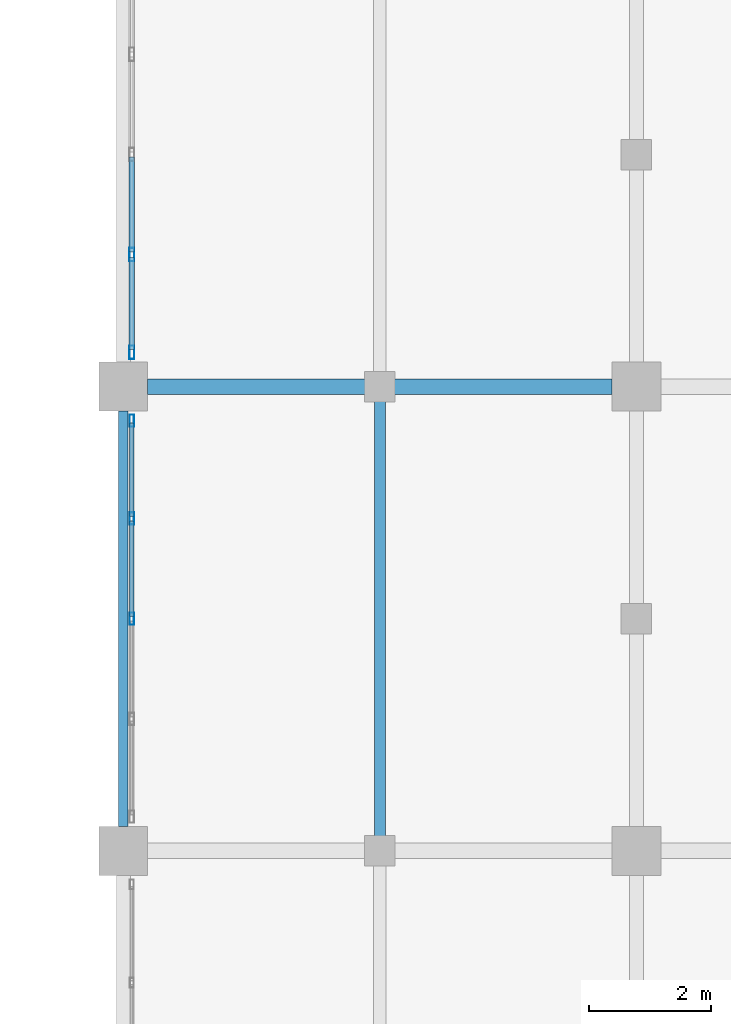
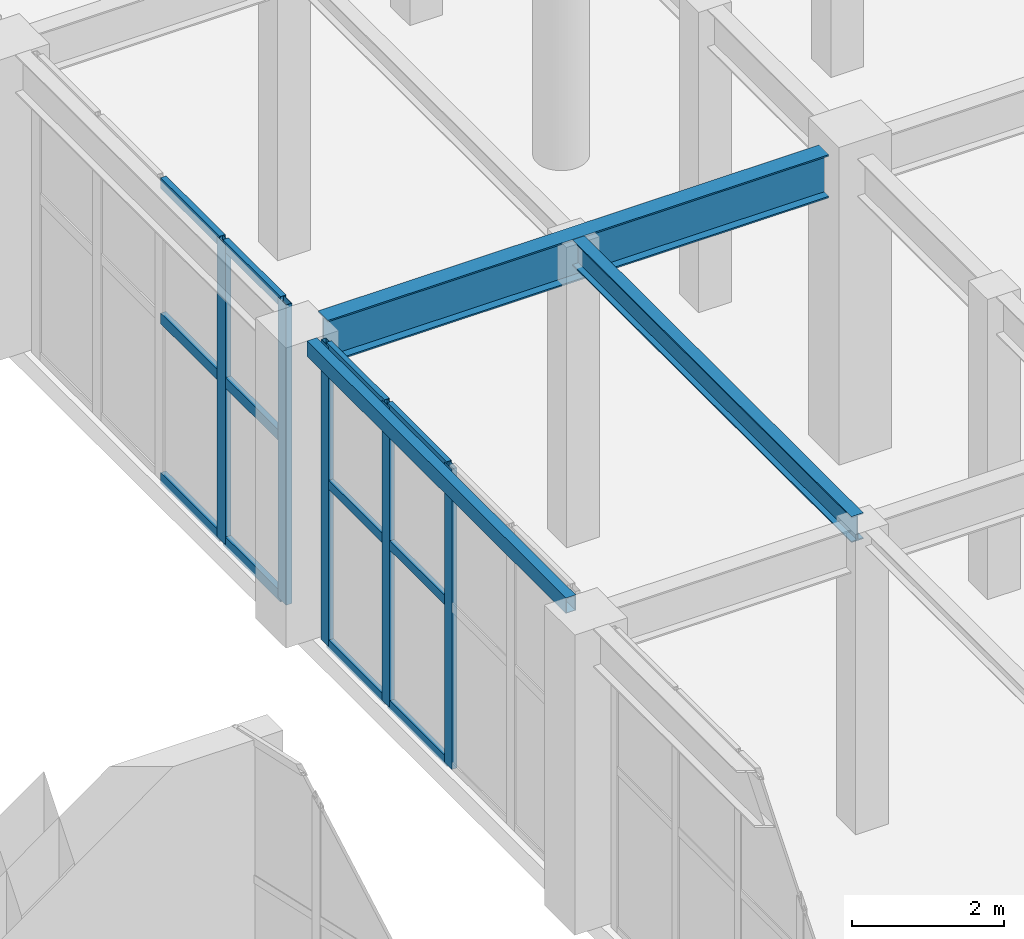
# One storey, part 28 of 128: 17 members, 3 beams, 2 elements without a shape of their own.
"""IFC4 building model written with IfcOpenShell, lengths in metres."""

from ifc_helpers import new_model, si_unit, direction, frame, origin, origin_2d, place, context, subcontext, project, spatial, hollow_rectangle, i_section, extrude, material, layer, layer_set, material_profile, profile_set, type_object, element, aggregate, save


model = new_model("IFC4")

# Units and contexts
model_context = context("Model", 3, precision=1e-05, world=origin(), true_north=direction((0.0, 1.0)))
body_context = subcontext(model_context, "Body", "Model", "MODEL_VIEW")
ifc_project = project(units=[si_unit("LENGTHUNIT", "METRE"), si_unit("AREAUNIT", "SQUARE_METRE"), si_unit("VOLUMEUNIT", "CUBIC_METRE"), si_unit("PLANEANGLEUNIT", "RADIAN"), si_unit("MASSUNIT", "GRAM", prefix="KILO")], contexts=[model_context])

# Site, building, storey
site_placement = place(None, origin())
site = spatial("IfcSite", under=ifc_project, at=site_placement, CompositionType="ELEMENT")
building_placement = place(site_placement, origin())
building = spatial("IfcBuilding", under=site, at=building_placement, Name="Xicomal Pleat Aquarium", CompositionType="ELEMENT")
storey_placement = place(building_placement, frame((0.0, 0.0, 5.39990234375)))
storey = spatial("IfcBuildingStorey", under=building, at=storey_placement, Name="L02", CompositionType="ELEMENT", Elevation=5.39990234375)

# Beams
ifc_material_1 = material(Name="Structural steel A992 Gr 50", Category="steel")
ifc_material_profile_1 = material_profile(ifc_material_1, i_section(OverallWidth=0.180908203125, OverallDepth=0.4169921875, WebThickness=0.010986328125, FlangeThickness=0.018310546875, at=origin_2d()), Name="IR 410x85")
ifc_profile_set_1 = profile_set([ifc_material_profile_1], Name="Structural steel A992 Gr 50")
beam_type_1 = type_object("IfcBeamType", Name="BM-STL-IR410", PredefinedType="JOIST", material=ifc_profile_set_1)
beam_1_placement = place(storey_placement, frame((48.0, 38.131103515625, 4.611572265625), z_axis=(0.0, 1.0, 0.0), x_axis=(-1.0, 0.0, 0.0)))
element("IfcBeam", 1, at=beam_1_placement, inside=storey, type_object=beam_type_1, Name="L02 framing beam FBJ-L02-06-F-1", PredefinedType="JOIST", context=body_context, shape_type="SweptSolid", body=[
    extrude(i_section(OverallWidth=0.180908203125, OverallDepth=0.4169921875, WebThickness=0.010986328125, FlangeThickness=0.018310546875, at=origin_2d()), origin(), (0.0, 0.0, 1.0), 7.337890625),
])
ifc_material_2 = material(Name="Structural steel A992 Gr 50", Category="steel")
ifc_material_profile_2 = material_profile(ifc_material_2, i_section(OverallWidth=0.256103515625, OverallDepth=0.693115234375, WebThickness=0.014404296875, FlangeThickness=0.023681640625, at=origin_2d()), Name="IR 690x170")
ifc_profile_set_2 = profile_set([ifc_material_profile_2], Name="Structural steel A992 Gr 50")
beam_type_2 = type_object("IfcBeamType", Name="BM-STL-IR690", PredefinedType="BEAM", material=ifc_profile_set_2)
beam_2_placement = place(storey_placement, frame((44.195068359375, 45.60009765625, 4.4736328125), z_axis=(1.0, 0.0, 0.0), x_axis=(0.0, 1.0, 0.0)))
element("IfcBeam", 2, at=beam_2_placement, inside=storey, type_object=beam_type_2, Name="L02 framing beam FGX-L02-06-07-G", PredefinedType="BEAM", context=body_context, shape_type="SweptSolid", body=[
    extrude(i_section(OverallWidth=0.256103515625, OverallDepth=0.693115234375, WebThickness=0.014404296875, FlangeThickness=0.023681640625, at=origin_2d()), origin(), (0.0, 0.0, 1.0), 7.60986328125),
])
ifc_material_3 = material(Name="Structural steel A500 Gr C", Category="steel")
ifc_material_profile_3 = material_profile(ifc_material_3, hollow_rectangle(XDim=0.14990234375, YDim=0.25, WallThickness=0.010009765625, at=origin_2d()), Name="OR 250x150x10")
ifc_profile_set_3 = profile_set([ifc_material_profile_3], Name="Structural steel A500 Gr C")
beam_type_3 = type_object("IfcBeamType", Name="BM-STL-OR250", PredefinedType="SPANDREL", material=ifc_profile_set_3)
beam_3_placement = place(storey_placement, frame((43.800048828125, 38.39501953125, 4.695068359375), z_axis=(0.0, 1.0, 0.0), x_axis=(-1.0, 0.0, 0.0)))
element("IfcBeam", 3, at=beam_3_placement, inside=storey, type_object=beam_type_3, Name="L02 framing beam FGY-L02-06-F-G", PredefinedType="SPANDREL", context=body_context, shape_type="SweptSolid", body=[
    extrude(hollow_rectangle(XDim=0.14990234375, YDim=0.25, WallThickness=0.010009765625, at=origin_2d()), origin(), (0.0, 0.0, 1.0), 6.81005859375),
])

# Curtain wall, members
ifc_material_4 = material(Name="Bronze anodized aluminium 6063-T6", Category="aluminium")
ifc_layer_1 = layer(ifc_material_4, 0.159912109375)
ifc_layer_set_1 = layer_set([ifc_layer_1], Name="Bronze anodized aluminium 6063-T6")
curtain_wall_type_1 = type_object("IfcCurtainWallType", Name="CW-SYS-07", PredefinedType="NOTDEFINED", material=ifc_layer_set_1)
curtain_wall_1_placement = place(storey_placement, origin())
curtain_wall_1 = element("IfcCurtainWall", 4, at=curtain_wall_1_placement, inside=storey, type_object=curtain_wall_type_1, Name="L02 unitised curtain wall CW-L02-097", PredefinedType="NOTDEFINED")
ifc_material_5 = material(Name="Bronze anodized aluminium 6063-T6", Category="aluminium")
ifc_material_profile_4 = material_profile(ifc_material_5, hollow_rectangle(XDim=0.074951171875, YDim=0.199951171875, WallThickness=0.00439453125, at=origin_2d()), Name="ALU MULL 75x200")
ifc_profile_set_4 = profile_set([ifc_material_profile_4], Name="Bronze anodized aluminium 6063-T6")
member_type_1 = type_object("IfcMemberType", Name="CWM-75x200", PredefinedType="MULLION", material=ifc_profile_set_4)
member_1_placement = place(storey_placement, frame((43.93994140625, 41.800048828125, 0.0), z_axis=(0.0, 0.0, 1.0), x_axis=(-1.0, 0.0, 0.0)))
member_1 = element("IfcMember", 5, at=member_1_placement, type_object=member_type_1, Name="CW-07 mullion 3", PredefinedType="MULLION", context=body_context, shape_type="SweptSolid", body=[
    extrude(hollow_rectangle(XDim=0.074951171875, YDim=0.199951171875, WallThickness=0.00439453125, at=origin_2d()), origin(), (0.0, 0.0, 1.0), 4.820068359375),
])
member_2_placement = place(storey_placement, frame((43.93994140625, 43.43994140625, 0.0), z_axis=(0.0, 0.0, 1.0), x_axis=(-1.0, 0.0, 0.0)))
member_2 = element("IfcMember", 6, at=member_2_placement, type_object=member_type_1, Name="CW-07 mullion 4", PredefinedType="MULLION", context=body_context, shape_type="SweptSolid", body=[
    extrude(hollow_rectangle(XDim=0.074951171875, YDim=0.199951171875, WallThickness=0.00439453125, at=origin_2d()), origin(), (0.0, 0.0, 1.0), 4.820068359375),
])
member_3_placement = place(storey_placement, frame((43.93994140625, 45.04248046875, 0.0), z_axis=(0.0, 0.0, 1.0), x_axis=(-1.0, 0.0, 0.0)))
member_3 = element("IfcMember", 7, at=member_3_placement, type_object=member_type_1, Name="CW-07 mullion 5", PredefinedType="MULLION", context=body_context, shape_type="SweptSolid", body=[
    extrude(hollow_rectangle(XDim=0.074951171875, YDim=0.199951171875, WallThickness=0.00439453125, at=origin_2d()), origin(), (0.0, 0.0, 1.0), 4.820068359375),
])

ifc_material_6 = material(Name="Bronze anodized aluminium 6063-T6", Category="aluminium")
ifc_layer_2 = layer(ifc_material_6, 0.159912109375)
ifc_layer_set_2 = layer_set([ifc_layer_2], Name="Bronze anodized aluminium 6063-T6")
curtain_wall_type_2 = type_object("IfcCurtainWallType", Name="CW-SYS-12", PredefinedType="NOTDEFINED", material=ifc_layer_set_2)
curtain_wall_2_placement = place(storey_placement, origin())
curtain_wall_2 = element("IfcCurtainWall", 8, at=curtain_wall_2_placement, inside=storey, type_object=curtain_wall_type_2, Name="L02 unitised curtain wall CW-L02-098", PredefinedType="NOTDEFINED")
ifc_material_7 = material(Name="Bronze anodized aluminium 6063-T6", Category="aluminium")
ifc_material_profile_5 = material_profile(ifc_material_7, hollow_rectangle(XDim=0.0849609375, YDim=0.219970703125, WallThickness=0.0048828125, at=origin_2d()), Name="ALU MULL 85x220")
ifc_profile_set_5 = profile_set([ifc_material_profile_5], Name="Bronze anodized aluminium 6063-T6")
member_type_2 = type_object("IfcMemberType", Name="CWM-85x220", PredefinedType="MULLION", material=ifc_profile_set_5)
member_4_placement = place(storey_placement, frame((43.93994140625, 46.16259765625, 0.0), z_axis=(0.0, 0.0, 1.0), x_axis=(-1.0, 0.0, 0.0)))
member_4 = element("IfcMember", 9, at=member_4_placement, type_object=member_type_2, Name="CW-12 mullion 1", PredefinedType="MULLION", context=body_context, shape_type="SweptSolid", body=[
    extrude(hollow_rectangle(XDim=0.0849609375, YDim=0.219970703125, WallThickness=0.0048828125, at=origin_2d()), origin(), (0.0, 0.0, 1.0), 4.820068359375),
])
member_5_placement = place(storey_placement, frame((43.93994140625, 47.760009765625, 0.0), z_axis=(0.0, 0.0, 1.0), x_axis=(-1.0, 0.0, 0.0)))
member_5 = element("IfcMember", 10, at=member_5_placement, type_object=member_type_2, Name="CW-12 mullion 2", PredefinedType="MULLION", context=body_context, shape_type="SweptSolid", body=[
    extrude(hollow_rectangle(XDim=0.0849609375, YDim=0.219970703125, WallThickness=0.0048828125, at=origin_2d()), origin(), (0.0, 0.0, 1.0), 4.820068359375),
])

# Member
ifc_material_8 = material(Name="Bronze anodized aluminium 6063-T6", Category="aluminium")
ifc_material_profile_6 = material_profile(ifc_material_8, hollow_rectangle(XDim=0.074951171875, YDim=0.14990234375, WallThickness=0.00439453125, at=origin_2d()), Name="ALU TRAN 75x150")
ifc_profile_set_6 = profile_set([ifc_material_profile_6], Name="Bronze anodized aluminium 6063-T6")
member_type_3 = type_object("IfcMemberType", Name="CWT-75x150", PredefinedType="USERDEFINED", material=ifc_profile_set_6)
member_6_placement = place(storey_placement, frame((43.93994140625, 41.83740234375, 0.03759765625), z_axis=(0.0, 1.0, 0.0), x_axis=(-1.0, 0.0, 0.0)))
member_6 = element("IfcMember", 11, at=member_6_placement, type_object=member_type_3, Name="CW-07 transom 3.1", ObjectType="TRANSOM", PredefinedType="USERDEFINED", context=body_context, shape_type="SweptSolid", body=[
    extrude(hollow_rectangle(XDim=0.074951171875, YDim=0.14990234375, WallThickness=0.00439453125, at=origin_2d()), origin(), (0.0, 0.0, 1.0), 1.565185546875),
])

member_7_placement = place(storey_placement, frame((43.93994140625, 41.83740234375, 2.60302734375), z_axis=(0.0, 1.0, 0.0), x_axis=(-1.0, 0.0, 0.0)))
member_7 = element("IfcMember", 12, at=member_7_placement, type_object=member_type_3, Name="CW-07 transom 3.2", ObjectType="TRANSOM", PredefinedType="USERDEFINED", context=body_context, shape_type="SweptSolid", body=[
    extrude(hollow_rectangle(XDim=0.074951171875, YDim=0.14990234375, WallThickness=0.00439453125, at=origin_2d()), origin(), (0.0, 0.0, 1.0), 1.565185546875),
])

member_8_placement = place(storey_placement, frame((43.93994140625, 41.83740234375, 4.78271484375), z_axis=(0.0, 1.0, 0.0), x_axis=(-1.0, 0.0, 0.0)))
member_8 = element("IfcMember", 13, at=member_8_placement, type_object=member_type_3, Name="CW-07 transom 3.3", ObjectType="TRANSOM", PredefinedType="USERDEFINED", context=body_context, shape_type="SweptSolid", body=[
    extrude(hollow_rectangle(XDim=0.074951171875, YDim=0.14990234375, WallThickness=0.00439453125, at=origin_2d()), origin(), (0.0, 0.0, 1.0), 1.565185546875),
])

member_9_placement = place(storey_placement, frame((43.93994140625, 43.4775390625, 0.03759765625), z_axis=(0.0, 1.0, 0.0), x_axis=(-1.0, 0.0, 0.0)))
member_9 = element("IfcMember", 14, at=member_9_placement, type_object=member_type_3, Name="CW-07 transom 4.1", ObjectType="TRANSOM", PredefinedType="USERDEFINED", context=body_context, shape_type="SweptSolid", body=[
    extrude(hollow_rectangle(XDim=0.074951171875, YDim=0.14990234375, WallThickness=0.00439453125, at=origin_2d()), origin(), (0.0, 0.0, 1.0), 1.52734375),
])

member_10_placement = place(storey_placement, frame((43.93994140625, 43.4775390625, 2.60302734375), z_axis=(0.0, 1.0, 0.0), x_axis=(-1.0, 0.0, 0.0)))
member_10 = element("IfcMember", 15, at=member_10_placement, type_object=member_type_3, Name="CW-07 transom 4.2", ObjectType="TRANSOM", PredefinedType="USERDEFINED", context=body_context, shape_type="SweptSolid", body=[
    extrude(hollow_rectangle(XDim=0.074951171875, YDim=0.14990234375, WallThickness=0.00439453125, at=origin_2d()), origin(), (0.0, 0.0, 1.0), 1.52734375),
])

member_11_placement = place(storey_placement, frame((43.93994140625, 43.4775390625, 4.78271484375), z_axis=(0.0, 1.0, 0.0), x_axis=(-1.0, 0.0, 0.0)))
member_11 = element("IfcMember", 16, at=member_11_placement, type_object=member_type_3, Name="CW-07 transom 4.3", ObjectType="TRANSOM", PredefinedType="USERDEFINED", context=body_context, shape_type="SweptSolid", body=[
    extrude(hollow_rectangle(XDim=0.074951171875, YDim=0.14990234375, WallThickness=0.00439453125, at=origin_2d()), origin(), (0.0, 0.0, 1.0), 1.52734375),
])

aggregate(curtain_wall_1, [member_1, member_2, member_3, member_6, member_7, member_8, member_9, member_10, member_11])

ifc_material_9 = material(Name="Bronze anodized aluminium 6063-T6", Category="aluminium")
ifc_material_profile_7 = material_profile(ifc_material_9, hollow_rectangle(XDim=0.0849609375, YDim=0.169921875, WallThickness=0.0048828125, at=origin_2d()), Name="ALU TRAN 85x170")
ifc_profile_set_7 = profile_set([ifc_material_profile_7], Name="Bronze anodized aluminium 6063-T6")
member_type_4 = type_object("IfcMemberType", Name="CWT-85x170", PredefinedType="USERDEFINED", material=ifc_profile_set_7)
member_12_placement = place(storey_placement, frame((43.93994140625, 46.205078125, 0.04248046875), z_axis=(0.0, 1.0, 0.0), x_axis=(-1.0, 0.0, 0.0)))
member_12 = element("IfcMember", 17, at=member_12_placement, type_object=member_type_4, Name="CW-12 transom 1.1", ObjectType="TRANSOM", PredefinedType="USERDEFINED", context=body_context, shape_type="SweptSolid", body=[
    extrude(hollow_rectangle(XDim=0.0849609375, YDim=0.169921875, WallThickness=0.0048828125, at=origin_2d()), origin(), (0.0, 0.0, 1.0), 1.512451171875),
])

member_13_placement = place(storey_placement, frame((43.93994140625, 46.205078125, 2.60302734375), z_axis=(0.0, 1.0, 0.0), x_axis=(-1.0, 0.0, 0.0)))
member_13 = element("IfcMember", 18, at=member_13_placement, type_object=member_type_4, Name="CW-12 transom 1.2", ObjectType="TRANSOM", PredefinedType="USERDEFINED", context=body_context, shape_type="SweptSolid", body=[
    extrude(hollow_rectangle(XDim=0.0849609375, YDim=0.169921875, WallThickness=0.0048828125, at=origin_2d()), origin(), (0.0, 0.0, 1.0), 1.512451171875),
])

member_14_placement = place(storey_placement, frame((43.93994140625, 46.205078125, 4.777587890625), z_axis=(0.0, 1.0, 0.0), x_axis=(-1.0, 0.0, 0.0)))
member_14 = element("IfcMember", 19, at=member_14_placement, type_object=member_type_4, Name="CW-12 transom 1.3", ObjectType="TRANSOM", PredefinedType="USERDEFINED", context=body_context, shape_type="SweptSolid", body=[
    extrude(hollow_rectangle(XDim=0.0849609375, YDim=0.169921875, WallThickness=0.0048828125, at=origin_2d()), origin(), (0.0, 0.0, 1.0), 1.512451171875),
])

member_15_placement = place(storey_placement, frame((43.93994140625, 47.802490234375, 0.04248046875), z_axis=(0.0, 1.0, 0.0), x_axis=(-1.0, 0.0, 0.0)))
member_15 = element("IfcMember", 20, at=member_15_placement, type_object=member_type_4, Name="CW-12 transom 2.1", ObjectType="TRANSOM", PredefinedType="USERDEFINED", context=body_context, shape_type="SweptSolid", body=[
    extrude(hollow_rectangle(XDim=0.0849609375, YDim=0.169921875, WallThickness=0.0048828125, at=origin_2d()), origin(), (0.0, 0.0, 1.0), 1.554931640625),
])

member_16_placement = place(storey_placement, frame((43.93994140625, 47.802490234375, 2.60302734375), z_axis=(0.0, 1.0, 0.0), x_axis=(-1.0, 0.0, 0.0)))
member_16 = element("IfcMember", 21, at=member_16_placement, type_object=member_type_4, Name="CW-12 transom 2.2", ObjectType="TRANSOM", PredefinedType="USERDEFINED", context=body_context, shape_type="SweptSolid", body=[
    extrude(hollow_rectangle(XDim=0.0849609375, YDim=0.169921875, WallThickness=0.0048828125, at=origin_2d()), origin(), (0.0, 0.0, 1.0), 1.554931640625),
])

member_17_placement = place(storey_placement, frame((43.93994140625, 47.802490234375, 4.777587890625), z_axis=(0.0, 1.0, 0.0), x_axis=(-1.0, 0.0, 0.0)))
member_17 = element("IfcMember", 22, at=member_17_placement, type_object=member_type_4, Name="CW-12 transom 2.3", ObjectType="TRANSOM", PredefinedType="USERDEFINED", context=body_context, shape_type="SweptSolid", body=[
    extrude(hollow_rectangle(XDim=0.0849609375, YDim=0.169921875, WallThickness=0.0048828125, at=origin_2d()), origin(), (0.0, 0.0, 1.0), 1.554931640625),
])

aggregate(curtain_wall_2, [member_4, member_5, member_12, member_13, member_14, member_15, member_16, member_17])

save(model, "model.ifc")
